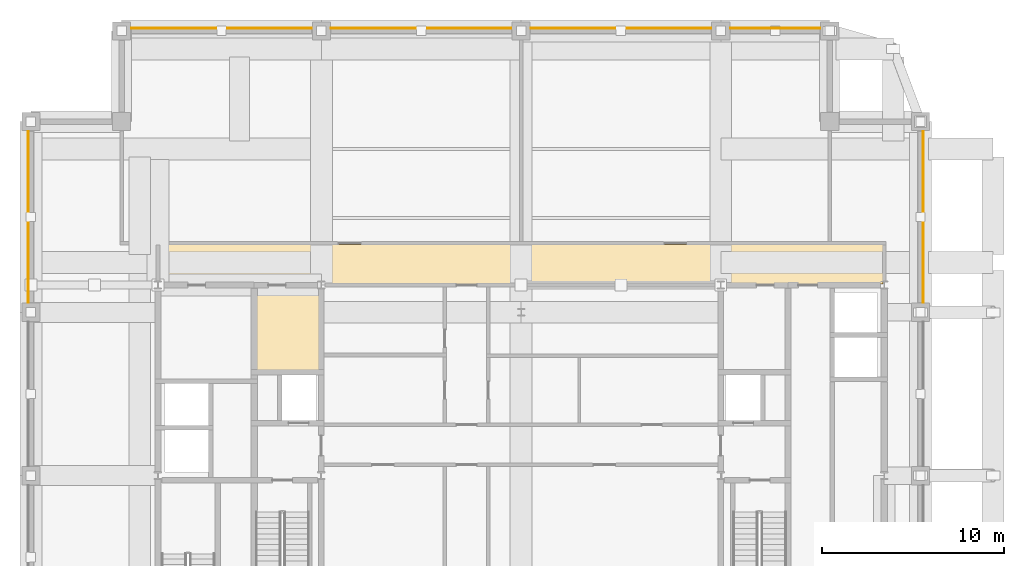
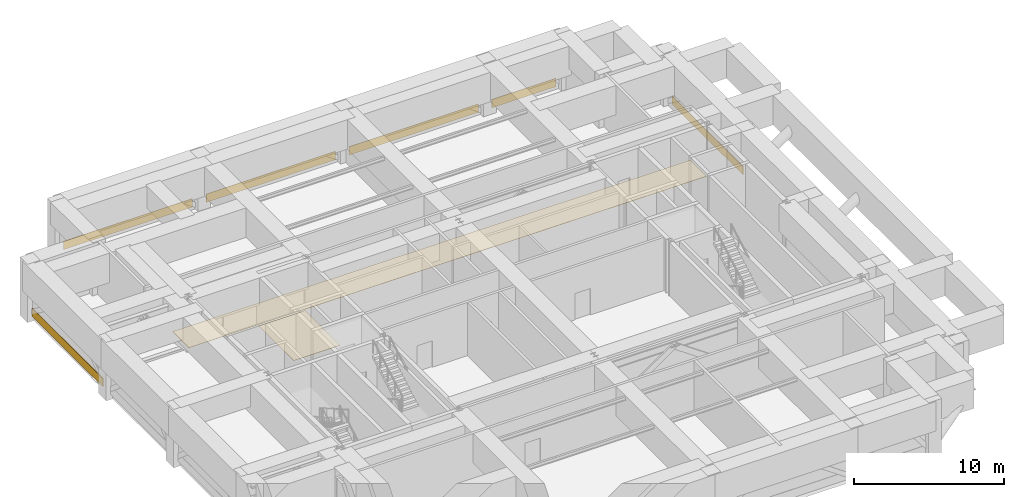
# One storey, part 9 of 9: 8 coverings.
"""IFC4 building model written with IfcOpenShell, lengths in metres."""

import ifcopenshell
import ifcopenshell.guid

model = None  # the IFC model being written
_history = None  # IfcOwnerHistory: only IFC2X3 demands one
_inside = {}  # id of a spatial element -> (the spatial element, [elements in it])
_under = {}  # id of a project, library or spatial element -> (it, [spatial elements below it])
_declared = {}  # id of a project -> (the project, [libraries it declares])
_typed = {}  # id of a type object -> (the type object, [elements of that type])
_made_of = {}  # id of a material, layer set ... -> (it, [elements and type objects made of it])


def new_model(schema):
    """Start an empty IFC model of exactly this schema.

    Asked for "IFC4X3", IfcOpenShell would pick the latest addendum, in which some entities
    have other attributes; the version numbers below select the first issue.
    IFC2X3 requires an IfcOwnerHistory on every rooted entity: one is made here for all.
    """
    global model, _history
    if schema == "IFC4X3":
        model = ifcopenshell.file(schema_version=(4, 3, 0, 0))
    else:
        model = ifcopenshell.file(schema=schema)
    _inside.clear()
    _under.clear()
    _declared.clear()
    _typed.clear()
    _made_of.clear()
    _history = None
    if model.schema == "IFC2X3":
        org = make("IfcOrganization", Name="unknown")
        user = make(
            "IfcPersonAndOrganization",
            ThePerson=make("IfcPerson", FamilyName="unknown"),
            TheOrganization=org,
        )
        app = make(
            "IfcApplication",
            ApplicationDeveloper=org,
            Version="unknown",
            ApplicationFullName="unknown",
            ApplicationIdentifier="unknown",
        )
        _history = make(
            "IfcOwnerHistory",
            OwningUser=user,
            OwningApplication=app,
            ChangeAction="ADDED",
            CreationDate=0,
        )
    return model


def make(cls, **values):
    """One entity of the class cls with the attributes given. An attribute that is None is left unset."""
    return model.create_entity(
        cls, **{name: value for name, value in values.items() if value is not None}
    )


def rooted(cls, **values):
    """An entity with a GlobalId (a new one), such as an element, a storey or a relation."""
    return make(cls, GlobalId=ifcopenshell.guid.new(), OwnerHistory=_history, **values)


def si_unit(unit_type, name, prefix=None):
    """IfcSIUnit, for example si_unit("LENGTHUNIT", "METRE", prefix="MILLI")."""
    return make("IfcSIUnit", UnitType=unit_type, Prefix=prefix, Name=name)


def assignment(units):
    """IfcUnitAssignment: the units of a project."""
    return None if units is None else make("IfcUnitAssignment", Units=units)


def point(xyz):
    """IfcCartesianPoint."""
    return None if xyz is None else make("IfcCartesianPoint", Coordinates=xyz)


def direction(xyz):
    """IfcDirection."""
    return None if xyz is None else make("IfcDirection", DirectionRatios=xyz)


def frame(location, z_axis=None, x_axis=None):
    """IfcAxis2Placement3D, a coordinate frame: its origin and axes. An axis left out is left unset."""
    return make(
        "IfcAxis2Placement3D",
        Location=point(location),
        Axis=direction(z_axis),
        RefDirection=direction(x_axis),
    )


def frame_2d(location, x_axis=None):
    """IfcAxis2Placement2D, a coordinate frame in the plane: its origin and x axis."""
    return make(
        "IfcAxis2Placement2D", Location=point(location), RefDirection=direction(x_axis)
    )


def origin():
    """The frame at (0, 0, 0) with its axes left unset."""
    return frame((0.0, 0.0, 0.0))


def place(relative_to, where):
    """IfcLocalPlacement: puts the frame where relative to a parent placement (None: the world)."""
    return make(
        "IfcLocalPlacement", PlacementRelTo=relative_to, RelativePlacement=where
    )


def context(
    kind, dimensions, precision=None, world=None, true_north=None, identifier=None
):
    """IfcGeometricRepresentationContext, for example the 3D "Model" context."""
    return make(
        "IfcGeometricRepresentationContext",
        ContextIdentifier=identifier,
        ContextType=kind,
        CoordinateSpaceDimension=dimensions,
        Precision=precision,
        WorldCoordinateSystem=world,
        TrueNorth=true_north,
    )


def subcontext(parent, identifier, kind, view, scale=None):
    """IfcGeometricRepresentationSubContext, for example "Body" below "Model"."""
    return make(
        "IfcGeometricRepresentationSubContext",
        ContextIdentifier=identifier,
        ContextType=kind,
        ParentContext=parent,
        TargetScale=scale,
        TargetView=view,
    )


def project(units=None, contexts=None):
    """IfcProject with its units and contexts."""
    return rooted(
        "IfcProject",
        Name="project",
        RepresentationContexts=contexts,
        UnitsInContext=assignment(units),
    )


def spatial(cls, under=None, at=None, **own):
    """A site, building, storey or space (cls), placed at a placement, below another one or the project."""
    s = rooted(cls, ObjectPlacement=at, **own)
    if under is not None:
        _under.setdefault(under.id(), (under, []))[1].append(s)
    return s


def polyline(points):
    """IfcPolyline through the points."""
    return make("IfcPolyline", Points=[point(p) for p in points])


def profile(cls, at=None, kind="AREA", **sizes):
    """A parametric profile (cls). Its sizes go by their IFC names, for example OverallWidth=200.0."""
    return make(cls, ProfileType=kind, Position=at, **sizes)


def rectangle(**sizes):
    """IfcRectangleProfileDef."""
    return profile("IfcRectangleProfileDef", **sizes)


def outline(outer, holes=None, kind="AREA"):
    """IfcArbitraryClosedProfileDef: a profile drawn as a closed curve; with holes, ...WithVoids."""
    if holes is None:
        return make("IfcArbitraryClosedProfileDef", ProfileType=kind, OuterCurve=outer)
    return make(
        "IfcArbitraryProfileDefWithVoids",
        ProfileType=kind,
        OuterCurve=outer,
        InnerCurves=holes,
    )


def extrude(swept, where, along, depth):
    """IfcExtrudedAreaSolid: the profile swept, set in the frame where, extruded along a direction by depth."""
    return make(
        "IfcExtrudedAreaSolid",
        SweptArea=swept,
        Position=where,
        ExtrudedDirection=direction(along),
        Depth=depth,
    )


def shape(context_of_items, identifier, shape_type, items):
    """IfcShapeRepresentation: the items that make up one representation, for example the "Body"."""
    return make(
        "IfcShapeRepresentation",
        ContextOfItems=context_of_items,
        RepresentationIdentifier=identifier,
        RepresentationType=shape_type,
        Items=items,
    )


def material(Name=None, Category=None):
    """IfcMaterial."""
    return make("IfcMaterial", Name=Name, Category=Category)


def layer(
    of_material, thickness, ventilated=None, Name=None, Category=None, Priority=None
):
    """IfcMaterialLayer: one layer of a wall or slab, of a material (None: an air gap)."""
    return make(
        "IfcMaterialLayer",
        Material=of_material,
        LayerThickness=thickness,
        IsVentilated=ventilated,
        Name=Name,
        Category=Category,
        Priority=Priority,
    )


def layer_set(layers, Name=None):
    """IfcMaterialLayerSet."""
    return make("IfcMaterialLayerSet", MaterialLayers=layers, LayerSetName=Name)


def made_of(thing, what):
    """Note that an element or type object is made of a material, layer set ...; save() writes the relation."""
    if what is not None:
        _made_of.setdefault(what.id(), (what, []))[1].append(thing)
    return thing


def type_object(cls, material=None, **own):
    """A type object (cls), such as IfcWallType, which elements share."""
    return made_of(rooted(cls, **own), material)


def element(
    cls,
    number,
    at=None,
    inside=None,
    cuts=None,
    type_object=None,
    material=None,
    context=None,
    identifier="Body",
    shape_type=None,
    held_by="IfcProductDefinitionShape",
    body=None,
    shapes=None,
    **own,
):
    """One element of the class cls, such as IfcWall. Its Tag is "e" and its number.

    at: its placement. inside: the storey or other place that contains it. cuts: it is an
    opening in that element (IfcRelVoidsElement). A single representation is given by context,
    identifier, shape_type and body (its items); several are given by shapes. held_by: the class
    of the entity that holds the representations. save() writes the other relations.
    """
    e = rooted(cls, Tag="e%d" % number, ObjectPlacement=at, **own)
    if body is not None:
        shapes = [shape(context, identifier, shape_type, body)]
    if shapes is not None:
        e.Representation = make(held_by, Representations=shapes)
    if inside is not None:
        _inside.setdefault(inside.id(), (inside, []))[1].append(e)
    if cuts is not None:
        rooted(
            "IfcRelVoidsElement", RelatingBuildingElement=cuts, RelatedOpeningElement=e
        )
    if type_object is not None:
        _typed.setdefault(type_object.id(), (type_object, []))[1].append(e)
    return made_of(e, material)


def aggregate(whole, parts):
    """IfcRelAggregates: a whole, such as a stair, and the parts it consists of."""
    return rooted("IfcRelAggregates", RelatingObject=whole, RelatedObjects=parts)


def save(model, path):
    """Write the relations noted so far, then the file.

    IfcRelAggregates (storeys below a building ...), IfcRelContainedInSpatialStructure (elements
    in a storey), IfcRelDefinesByType, IfcRelAssociatesMaterial and IfcRelDeclares: one each for
    every whole, place, type object, material and project.
    """
    for whole, parts in _under.values():
        aggregate(whole, parts)
    for where, things in _inside.values():
        rooted(
            "IfcRelContainedInSpatialStructure",
            RelatedElements=things,
            RelatingStructure=where,
        )
    for kind, things in _typed.values():
        rooted("IfcRelDefinesByType", RelatedObjects=things, RelatingType=kind)
    for what, things in _made_of.values():
        rooted("IfcRelAssociatesMaterial", RelatedObjects=things, RelatingMaterial=what)
    for by, libraries in _declared.values():
        rooted("IfcRelDeclares", RelatingContext=by, RelatedDefinitions=libraries)
    model.write(path)


model = new_model("IFC4")

# Units and contexts
model_context = context("Model", 3, precision=1e-05, world=origin(), true_north=direction((0.0, 1.0)))
body_context = subcontext(model_context, "Body", "Model", "MODEL_VIEW")
ifc_project = project(units=[si_unit("LENGTHUNIT", "METRE"), si_unit("AREAUNIT", "SQUARE_METRE"), si_unit("VOLUMEUNIT", "CUBIC_METRE"), si_unit("PLANEANGLEUNIT", "RADIAN"), si_unit("MASSUNIT", "GRAM", prefix="KILO")], contexts=[model_context])

# Site, building, storey
site_placement = place(None, origin())
site = spatial("IfcSite", under=ifc_project, at=site_placement, CompositionType="ELEMENT")
building_placement = place(site_placement, origin())
building = spatial("IfcBuilding", under=site, at=building_placement, Name="Zulmaris Gate Convention Tower", CompositionType="ELEMENT")
storey_placement = place(building_placement, frame((0.0, 0.0, 222.06005859375)))
storey = spatial("IfcBuildingStorey", under=building, at=storey_placement, Name="L58", CompositionType="ELEMENT", Elevation=222.06005859375)

# Coverings
ifc_material_1 = material(Name="Precast concrete C40/50", Category="concrete")
ifc_layer_1 = layer(ifc_material_1, 0.0400390625, Name="Precast concrete C40/50")
ifc_layer_set_1 = layer_set([ifc_layer_1], Name="Precast concrete C40/50")
covering_type_1 = type_object("IfcCoveringType", Name="CLAD-SPANDREL-PRECAST", PredefinedType="CLADDING", material=ifc_layer_set_1)
for number, where, z_axis, x_axis, name in (
    (1, (-11.530029296875, 24.64990234375, 0.0), (0.0, 0.0, 1.0), (-1.0, 0.0, 0.0), "CLD-L58-N-0_0"),
    (2, (-0.530029296875, 24.64990234375, 0.0), (0.0, 0.0, 1.0), (-1.0, 0.0, 0.0), "CLD-L58-N-1_0"),
    (3, (10.469970703125, 24.64990234375, 0.0), (0.0, 0.0, 1.0), (-1.0, 0.0, 0.0), "CLD-L58-N-2_0"),
):
    element("IfcCovering", number, at=place(storey_placement, frame(where, z_axis=z_axis, x_axis=x_axis)), inside=storey, type_object=covering_type_1, Name=name, PredefinedType="CLADDING", context=body_context, shape_type="SweptSolid", body=[
        extrude(rectangle(XDim=9.93994140625, YDim=0.0400390625, at=frame_2d((4.969970703125, 0.0))), origin(), (0.0, 0.0, 1.0), 0.679931640625),
    ])
covering_1_placement = place(storey_placement, frame((16.469970703125, 24.64990234375, 0.0), z_axis=(0.0, 0.0, 1.0), x_axis=(-1.0, 0.0, 0.0)))
element("IfcCovering", 4, at=covering_1_placement, inside=storey, type_object=covering_type_1, Name="CLD-L58-N-3_0", PredefinedType="CLADDING", context=body_context, shape_type="SweptSolid", body=[
    extrude(rectangle(XDim=4.93994140625, YDim=0.0400390625, at=frame_2d((2.469970703125, 0.0))), origin(), (0.0, 0.0, 1.0), 0.679931640625),
])
for number, where, z_axis, x_axis, name in (
    (5, (22.14990234375, 9.530029296875, 0.0), (0.0, 0.0, 1.0), (0.0, 1.0, 0.0), "CLD-L58-E-3_0"),
    (6, (-27.14990234375, 18.969970703125, 0.0), (0.0, 0.0, 1.0), (0.0, -1.0, 0.0), "CLD-L58-W-3_0"),
):
    element("IfcCovering", number, at=place(storey_placement, frame(where, z_axis=z_axis, x_axis=x_axis)), inside=storey, type_object=covering_type_1, Name=name, PredefinedType="CLADDING", context=body_context, shape_type="SweptSolid", body=[
        extrude(rectangle(XDim=9.43994140625, YDim=0.0400390625, at=frame_2d((4.719970703125, 0.0))), origin(), (0.0, 0.0, 1.0), 0.679931640625),
    ])
ifc_material_2 = material(Name="Woven Acoustic Wool Carpet Tile")
ifc_layer_2 = layer(ifc_material_2, 0.02001953125, Name="Woven Acoustic Wool Carpet Tile")
ifc_layer_set_2 = layer_set([ifc_layer_2], Name="Woven Acoustic Wool Carpet Tile")
covering_type_2 = type_object("IfcCoveringType", Name="FLR-CARPET-12", PredefinedType="FLOORING", material=ifc_layer_set_2)
covering_2_placement = place(storey_placement, origin())
element("IfcCovering", 7, at=covering_2_placement, inside=storey, type_object=covering_type_2, Name="FLR-L58-R11", PredefinedType="FLOORING", context=body_context, shape_type="SweptSolid", body=[
    extrude(outline(polyline([(-14.639892578125, 5.760009765625), (-11.06005859375, 5.760009765625), (-11.06005859375, 10.43994140625), (-14.639892578125, 10.43994140625), (-14.639892578125, 5.760009765625)])), origin(), (0.0, 0.0, 1.0), 0.02001953125),
])
covering_3_placement = place(storey_placement, origin())
element("IfcCovering", 8, at=covering_3_placement, inside=storey, type_object=covering_type_2, Name="FLR-L58-R26", PredefinedType="FLOORING", context=body_context, shape_type="SweptSolid", body=[
    extrude(outline(polyline([(-19.93994140625, 10.56005859375), (19.93994140625, 10.56005859375), (19.93994140625, 12.739990234375), (-19.93994140625, 12.739990234375), (-19.93994140625, 10.56005859375)])), origin(), (0.0, 0.0, 1.0), 0.02001953125),
])

save(model, "model.ifc")
